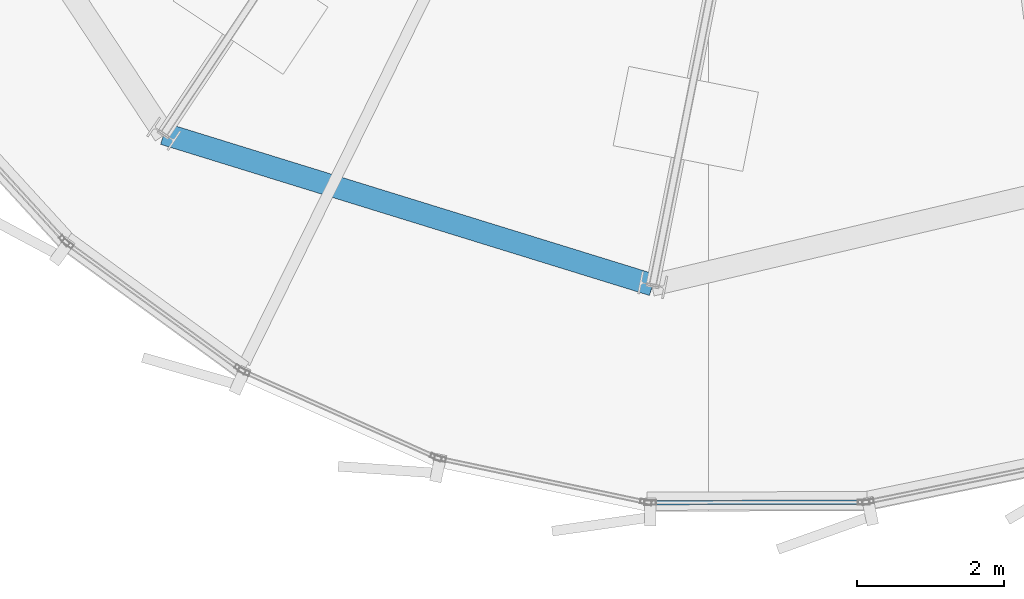
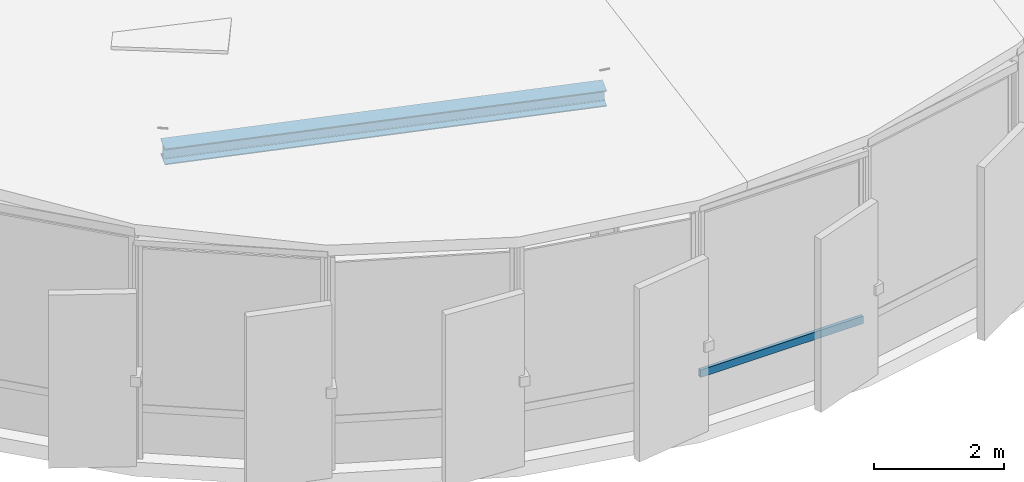
# One storey, part 3 of 36: 1 beam, 1 member, 1 element without a shape of its own.
"""IFC4 building model written with IfcOpenShell, lengths in metres."""

from ifc_helpers import new_model, si_unit, direction, frame, origin, origin_2d, place, context, subcontext, project, spatial, hollow_rectangle, i_section, extrude, source, transform, mapped, material, layer, layer_set, material_profile, profile_set, type_object, element, aggregate, save


model = new_model("IFC4")

# Units and contexts
model_context = context("Model", 3, precision=1e-05, world=origin(), true_north=direction((0.0, 1.0)))
body_context = subcontext(model_context, "Body", "Model", "MODEL_VIEW")
ifc_project = project(units=[si_unit("LENGTHUNIT", "METRE"), si_unit("AREAUNIT", "SQUARE_METRE"), si_unit("VOLUMEUNIT", "CUBIC_METRE"), si_unit("PLANEANGLEUNIT", "RADIAN"), si_unit("MASSUNIT", "GRAM", prefix="KILO"), si_unit("THERMODYNAMICTEMPERATUREUNIT", "KELVIN")], contexts=[model_context])

# Site, building, storey
site_placement = place(None, origin())
site = spatial("IfcSite", under=ifc_project, at=site_placement, CompositionType="ELEMENT")
building_placement = place(site_placement, origin())
building = spatial("IfcBuilding", under=site, at=building_placement, Name="Kethvar Cultural Tower", CompositionType="ELEMENT")
storey_placement = place(building_placement, frame((0.0, 0.0, 324.300048828125)))
storey = spatial("IfcBuildingStorey", under=building, at=storey_placement, Name="L86", CompositionType="ELEMENT", Elevation=324.300048828125)

# Beam
ifc_material_1 = material(Name="Steel S355J2", Category="steel")
ifc_material_profile_1 = material_profile(ifc_material_1, i_section(OverallWidth=0.300048828125, OverallDepth=0.300048828125, WebThickness=0.010986328125, FlangeThickness=0.01904296875, FilletRadius=0.027099609375, at=origin_2d()), Name="Steel S355J2 — HEB300")
ifc_profile_set_1 = profile_set([ifc_material_profile_1], Name="Steel S355J2 — HEB300")
beam_type = type_object("IfcBeamType", Name="BM-SP300", PredefinedType="SPANDREL", material=ifc_profile_set_1)
shared_shape_1 = source(origin(), body_context, "Body", "SweptSolid", [
    extrude(i_section(OverallWidth=0.300048828125, OverallDepth=0.300048828125, WebThickness=0.010986328125, FlangeThickness=0.01904296875, FilletRadius=0.027099609375, at=origin_2d()), origin(), (0.0, 0.0, 1.0), 6.97265625),
])
beam_placement = place(storey_placement, frame((36.731201171875, 12.73095703125, 4.383056640625), z_axis=(0.955378150273, -0.295373820849, 0.002626011921), x_axis=(0.295374839295, 0.955381444404, 0.0)))
element("IfcBeam", 1, at=beam_placement, inside=storey, type_object=beam_type, Name="Crown Sloped Eave Ring Beam SP-11", PredefinedType="SPANDREL", context=body_context, shape_type="MappedRepresentation", body=[
    mapped(shared_shape_1, transform((0.0, 0.0, 0.0), scale=1.0)),
])

# Curtain wall, member
ifc_material_2 = material(Name="Aluminium 6063-T6", Category="aluminium")
ifc_layer = layer(ifc_material_2, 0.179931640625, Name="Aluminium 6063-T6", Category="aluminium")
ifc_layer_set = layer_set([ifc_layer], Name="Aluminium 6063-T6 (180 mm)")
curtain_wall_type = type_object("IfcCurtainWallType", Name="CW-SYS-06-CROWN", PredefinedType="NOTDEFINED", material=ifc_layer_set)
curtain_wall_placement = place(storey_placement, origin())
curtain_wall = element("IfcCurtainWall", 2, at=curtain_wall_placement, inside=storey, type_object=curtain_wall_type, Name="L86 Curtain Wall Run 20", PredefinedType="NOTDEFINED")
ifc_material_profile_2 = material_profile(ifc_material_2, hollow_rectangle(XDim=0.06005859375, YDim=0.139892578125, WallThickness=0.0048828125, at=origin_2d()), Name="Aluminium 6063-T6 — RHS140x60x5")
ifc_profile_set_2 = profile_set([ifc_material_profile_2], Name="Aluminium 6063-T6 — RHS140x60x5")
member_type = type_object("IfcMemberType", Name="CW-SYS-06-CROWN-TRN", PredefinedType="USERDEFINED", material=ifc_profile_set_2)
shared_shape_2 = source(origin(), body_context, "Body", "SweptSolid", [
    extrude(hollow_rectangle(XDim=0.06005859375, YDim=0.139892578125, WallThickness=0.0048828125, at=origin_2d()), origin(), (0.0, 0.0, 1.0), 2.89990234375),
])
member_placement = place(storey_placement, frame((43.364013671875, 7.705810546875, 0.949951171875), z_axis=(0.999998437137, 0.001767971643, 0.0), x_axis=(-0.001767971643, 0.999998437137, 0.0)))
member = element("IfcMember", 3, at=member_placement, type_object=member_type, Name="CW-L86-R20 Transom 1", ObjectType="TRANSOM", PredefinedType="USERDEFINED", context=body_context, shape_type="MappedRepresentation", body=[
    mapped(shared_shape_2, transform((0.0, 0.0, 0.0), scale=1.0)),
])
aggregate(curtain_wall, [member])

save(model, "model.ifc")
